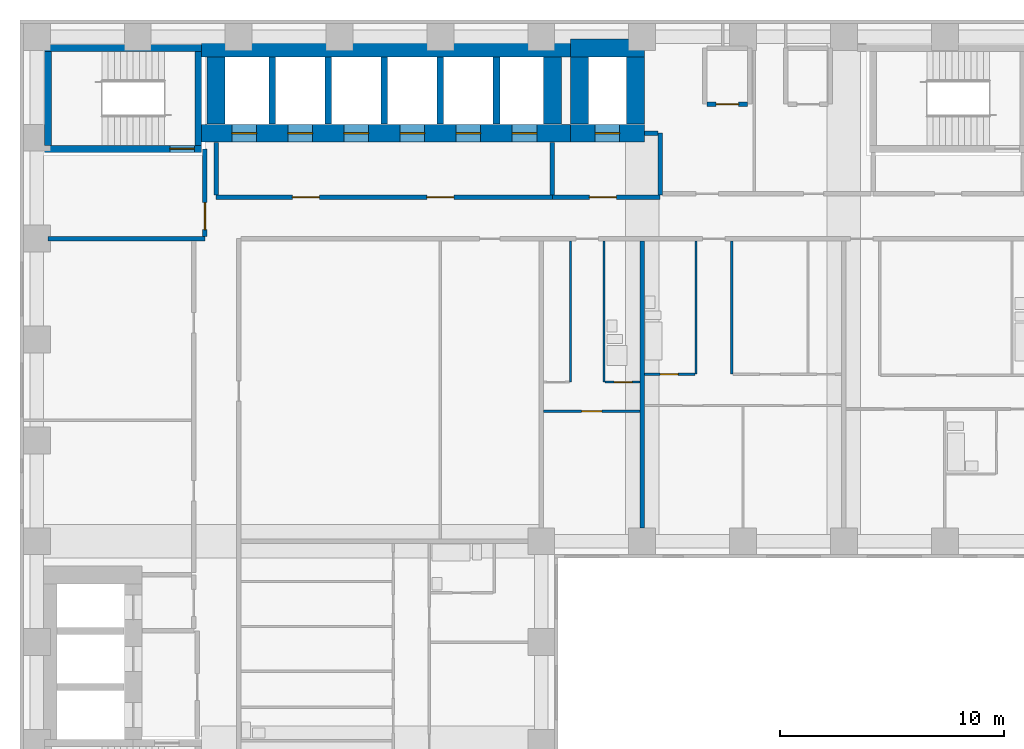
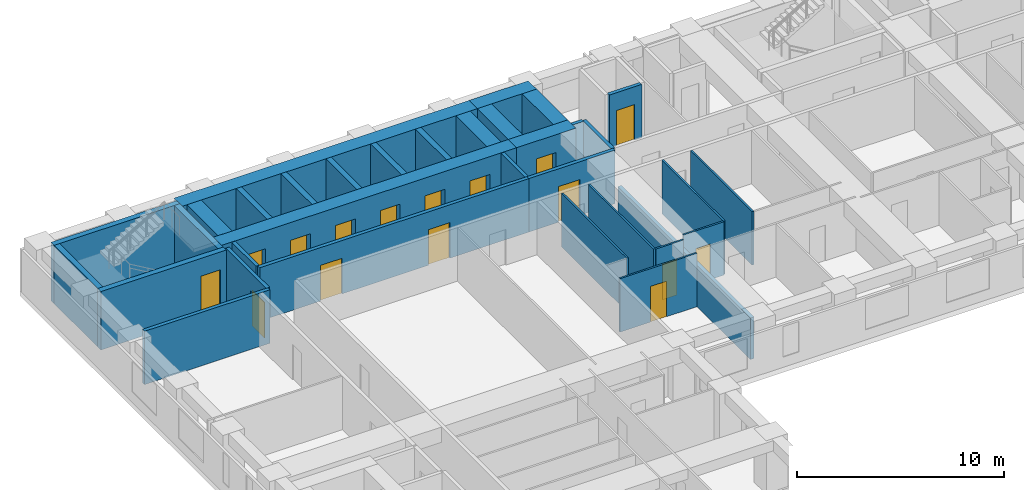
# One storey, part 5 of 13: 34 walls, 16 doors, 16 openings.
"""IFC4 building model written with IfcOpenShell, lengths in metres."""

from ifc_helpers import new_model, si_unit, direction, frame, frame_2d, origin, place, context, subcontext, project, spatial, rectangle, extrude, material, layer, layer_set, type_object, element, fill, save


model = new_model("IFC4")

# Units and contexts
model_context = context("Model", 3, precision=1e-05, world=origin(), true_north=direction((0.0, 1.0)))
body_context = subcontext(model_context, "Body", "Model", "MODEL_VIEW")
ifc_project = project(units=[si_unit("LENGTHUNIT", "METRE"), si_unit("AREAUNIT", "SQUARE_METRE"), si_unit("VOLUMEUNIT", "CUBIC_METRE"), si_unit("PLANEANGLEUNIT", "RADIAN"), si_unit("MASSUNIT", "GRAM", prefix="KILO")], contexts=[model_context])

# Site, building, storey
site_placement = place(None, origin())
site = spatial("IfcSite", under=ifc_project, at=site_placement, CompositionType="ELEMENT")
building_placement = place(site_placement, origin())
building = spatial("IfcBuilding", under=site, at=building_placement, Name="Firuza Court", CompositionType="ELEMENT")
storey_placement = place(building_placement, frame((0.0, 0.0, 104.60009765625)))
storey = spatial("IfcBuildingStorey", under=building, at=storey_placement, Name="L26", CompositionType="ELEMENT", Elevation=104.60009765625)

# Walls
ifc_material_1 = material(Name="Moisture-resistant gypsum board partition")
ifc_layer_1 = layer(ifc_material_1, 0.10009765625)
ifc_layer_set_1 = layer_set([ifc_layer_1], Name="Moisture-resistant gypsum board partition")
wall_type_1 = type_object("IfcWallType", Name="Bathroom partition 100", PredefinedType="PLUMBINGWALL", material=ifc_layer_set_1)
wall_1_placement = place(storey_placement, frame((25.300048828125, 43.10009765625, 0.0), z_axis=(0.0, 0.0, 1.0), x_axis=(0.0, 1.0, 0.0)))
element("IfcWall", 1, at=wall_1_placement, inside=storey, type_object=wall_type_1, Name="Bathroom partition 100 L26", PredefinedType="PLUMBINGWALL", context=body_context, shape_type="SweptSolid", body=[
    extrude(rectangle(XDim=6.2998046875, YDim=0.10009765625, at=frame_2d((3.14990234375, 0.0))), origin(), (0.0, 0.0, 1.0), 3.14990234375),
])
wall_2_placement = place(storey_placement, frame((29.39990234375, 43.449951171875, 0.0), z_axis=(0.0, 0.0, 1.0), x_axis=(0.0, 1.0, 0.0)))
element("IfcWall", 2, at=wall_2_placement, inside=storey, type_object=wall_type_1, Name="Bathroom partition 100 L26", PredefinedType="PLUMBINGWALL", context=body_context, shape_type="SweptSolid", body=[
    extrude(rectangle(XDim=5.949951171875, YDim=0.10009765625, at=frame_2d((2.97509765625, 0.0))), origin(), (0.0, 0.0, 1.0), 3.14990234375),
])

# Wall, opening, door
ifc_material_2 = material(Name="Concrete C60/75", Category="concrete")
ifc_layer_2 = layer(ifc_material_2, 0.300048828125)
ifc_layer_set_2 = layer_set([ifc_layer_2], Name="Concrete C60/75")
wall_type_2 = type_object("IfcWallType", Name="Core wall 300 C60/75", PredefinedType="SHEAR", material=ifc_layer_set_2)
wall_3_placement = place(storey_placement, frame((0.35009765625, 53.5, -0.300048828125), z_axis=(0.0, 0.0, 1.0), x_axis=(1.0, 0.0, 0.0)))
wall_3 = element("IfcWall", 3, at=wall_3_placement, inside=storey, type_object=wall_type_2, Name="Core wall stair L26", PredefinedType="SHEAR", context=body_context, shape_type="SweptSolid", body=[
    extrude(rectangle(XDim=7.0, YDim=0.300048828125, at=frame_2d((3.5, 0.0))), origin(), (0.0, 0.0, 1.0), 3.449951171875),
])
opening_1_placement = place(wall_3_placement, frame((5.580078125, 0.0, 0.300048828125)))
opening_1 = element("IfcOpeningElement", 4, at=opening_1_placement, cuts=wall_3, Name="Opening D26016", PredefinedType="OPENING", context=body_context, shape_type="SweptSolid", body=[
    extrude(rectangle(XDim=1.10009765625, YDim=2.10009765625, at=frame_2d((0.550048828125, 1.050048828125))), frame((0.0, 0.162109375, 0.0), z_axis=(0.0, -1.0, 0.0), x_axis=(1.0, 0.0, 0.0)), (0.0, 0.0, 1.0), 0.323974609375),
])
ifc_material_3 = material(Name="Timber door leaf in hardwood frame", Category="wood")
door_type_1 = type_object("IfcDoorType", Name="Stair door 1100", OperationType="SINGLE_SWING_LEFT", PredefinedType="DOOR", material=ifc_material_3)
door_1_placement = place(opening_1_placement, origin())
door_1 = element("IfcDoor", 5, at=door_1_placement, inside=storey, type_object=door_type_1, Name="Stair door S3", OperationType="SINGLE_SWING_RIGHT", OverallHeight=2.10009765625, OverallWidth=1.10009765625, PredefinedType="DOOR", context=body_context, shape_type="SweptSolid", body=[
    extrude(rectangle(XDim=1.10009765625, YDim=2.10009765625, at=frame_2d((0.550048828125, 1.050048828125))), frame((0.0, 0.02490234375, 0.0), z_axis=(0.0, -1.0, 0.0), x_axis=(1.0, 0.0, 0.0)), (0.0, 0.0, 1.0), 0.050048828125),
])
fill(opening_1, door_1)

# Walls
wall_4_placement = place(storey_placement, frame((0.35009765625, 58.0, -0.300048828125), z_axis=(0.0, 0.0, 1.0), x_axis=(1.0, 0.0, 0.0)))
element("IfcWall", 6, at=wall_4_placement, inside=storey, type_object=wall_type_2, Name="Core wall stair L26", PredefinedType="SHEAR", context=body_context, shape_type="SweptSolid", body=[
    extrude(rectangle(XDim=7.0, YDim=0.300048828125, at=frame_2d((3.5, 0.0))), origin(), (0.0, 0.0, 1.0), 3.449951171875),
])
for number, where, z_axis, x_axis, name in (
    (7, (0.5, 53.64990234375, -0.300048828125), (0.0, 0.0, 1.0), (0.0, 1.0, 0.0), "Core wall stair L26"),
    (8, (7.199951171875, 53.64990234375, -0.300048828125), (0.0, 0.0, 1.0), (0.0, 1.0, 0.0), "Core wall stair L26"),
):
    element("IfcWall", number, at=place(storey_placement, frame(where, z_axis=z_axis, x_axis=x_axis)), inside=storey, type_object=wall_type_2, Name=name, PredefinedType="SHEAR", context=body_context, shape_type="SweptSolid", body=[
        extrude(rectangle(XDim=4.2001953125, YDim=0.300048828125, at=frame_2d((2.10009765625, 0.0))), origin(), (0.0, 0.0, 1.0), 3.449951171875),
    ])
for number, where, z_axis, x_axis, name in (
    (9, (10.5, 54.60009765625, -0.300048828125), (0.0, 0.0, 1.0), (0.0, 1.0, 0.0), "Core wall lift shaft L26"),
    (10, (13.0, 54.60009765625, -0.300048828125), (0.0, 0.0, 1.0), (0.0, 1.0, 0.0), "Core wall lift shaft L26"),
    (11, (15.5, 54.60009765625, -0.300048828125), (0.0, 0.0, 1.0), (0.0, 1.0, 0.0), "Core wall lift shaft L26"),
    (12, (18.0, 54.60009765625, -0.300048828125), (0.0, 0.0, 1.0), (0.0, 1.0, 0.0), "Core wall lift shaft L26"),
    (13, (20.5, 54.60009765625, -0.300048828125), (0.0, 0.0, 1.0), (0.0, 1.0, 0.0), "Core wall lift shaft L26"),
):
    element("IfcWall", number, at=place(storey_placement, frame(where, z_axis=z_axis, x_axis=x_axis)), inside=storey, type_object=wall_type_2, Name=name, PredefinedType="SHEAR", context=body_context, shape_type="SweptSolid", body=[
        extrude(rectangle(XDim=3.0, YDim=0.300048828125, at=frame_2d((1.5, 0.0))), origin(), (0.0, 0.0, 1.0), 3.449951171875),
    ])

# Wall, openings, doors
ifc_layer_3 = layer(ifc_material_2, 0.800048828125)
ifc_layer_set_3 = layer_set([ifc_layer_3], Name="Concrete C60/75")
wall_type_3 = type_object("IfcWallType", Name="Core wall 800 C60/75", PredefinedType="SHEAR", material=ifc_layer_set_3)
wall_5_placement = place(storey_placement, frame((7.35009765625, 54.199951171875, -0.300048828125), z_axis=(0.0, 0.0, 1.0), x_axis=(1.0, 0.0, 0.0)))
wall_5 = element("IfcWall", 14, at=wall_5_placement, inside=storey, type_object=wall_type_3, Name="Core wall lift shaft L26", PredefinedType="SHEAR", context=body_context, shape_type="SweptSolid", body=[
    extrude(rectangle(XDim=16.449951171875, YDim=0.800048828125, at=frame_2d((8.22509765625, 0.0))), origin(), (0.0, 0.0, 1.0), 3.449951171875),
])
opening_2_placement = place(wall_5_placement, frame((1.35009765625, 0.0, 0.300048828125)))
opening_2 = element("IfcOpeningElement", 15, at=opening_2_placement, cuts=wall_5, Name="Opening LD-LB1-26", PredefinedType="OPENING", context=body_context, shape_type="SweptSolid", body=[
    extrude(rectangle(XDim=1.10009765625, YDim=2.10009765625, at=frame_2d((0.550048828125, 1.050048828125))), frame((0.0, 0.412109375, 0.0), z_axis=(0.0, -1.0, 0.0), x_axis=(1.0, 0.0, 0.0)), (0.0, 0.0, 1.0), 0.823974609375),
])
opening_3_placement = place(wall_5_placement, frame((3.85009765625, 0.0, 0.300048828125)))
opening_3 = element("IfcOpeningElement", 16, at=opening_3_placement, cuts=wall_5, Name="Opening LD-LB2-26", PredefinedType="OPENING", context=body_context, shape_type="SweptSolid", body=[
    extrude(rectangle(XDim=1.10009765625, YDim=2.10009765625, at=frame_2d((0.550048828125, 1.050048828125))), frame((0.0, 0.412109375, 0.0), z_axis=(0.0, -1.0, 0.0), x_axis=(1.0, 0.0, 0.0)), (0.0, 0.0, 1.0), 0.823974609375),
])
opening_4_placement = place(wall_5_placement, frame((6.35009765625, 0.0, 0.300048828125)))
opening_4 = element("IfcOpeningElement", 17, at=opening_4_placement, cuts=wall_5, Name="Opening LD-LB3-26", PredefinedType="OPENING", context=body_context, shape_type="SweptSolid", body=[
    extrude(rectangle(XDim=1.10009765625, YDim=2.10009765625, at=frame_2d((0.550048828125, 1.050048828125))), frame((0.0, 0.412109375, 0.0), z_axis=(0.0, -1.0, 0.0), x_axis=(1.0, 0.0, 0.0)), (0.0, 0.0, 1.0), 0.823974609375),
])
opening_5_placement = place(wall_5_placement, frame((8.85009765625, 0.0, 0.300048828125)))
opening_5 = element("IfcOpeningElement", 18, at=opening_5_placement, cuts=wall_5, Name="Opening LD-LB4-26", PredefinedType="OPENING", context=body_context, shape_type="SweptSolid", body=[
    extrude(rectangle(XDim=1.10009765625, YDim=2.10009765625, at=frame_2d((0.550048828125, 1.050048828125))), frame((0.0, 0.412109375, 0.0), z_axis=(0.0, -1.0, 0.0), x_axis=(1.0, 0.0, 0.0)), (0.0, 0.0, 1.0), 0.823974609375),
])
opening_6_placement = place(wall_5_placement, frame((11.35009765625, 0.0, 0.300048828125)))
opening_6 = element("IfcOpeningElement", 19, at=opening_6_placement, cuts=wall_5, Name="Opening LD-LB5-26", PredefinedType="OPENING", context=body_context, shape_type="SweptSolid", body=[
    extrude(rectangle(XDim=1.10009765625, YDim=2.10009765625, at=frame_2d((0.550048828125, 1.050048828125))), frame((0.0, 0.412109375, 0.0), z_axis=(0.0, -1.0, 0.0), x_axis=(1.0, 0.0, 0.0)), (0.0, 0.0, 1.0), 0.823974609375),
])
opening_7_placement = place(wall_5_placement, frame((13.85009765625, 0.0, 0.300048828125)))
opening_7 = element("IfcOpeningElement", 20, at=opening_7_placement, cuts=wall_5, Name="Opening LD-LB6-26", PredefinedType="OPENING", context=body_context, shape_type="SweptSolid", body=[
    extrude(rectangle(XDim=1.10009765625, YDim=2.10009765625, at=frame_2d((0.550048828125, 1.050048828125))), frame((0.0, 0.412109375, 0.0), z_axis=(0.0, -1.0, 0.0), x_axis=(1.0, 0.0, 0.0)), (0.0, 0.0, 1.0), 0.823974609375),
])
ifc_material_4 = material(Name="Stainless steel 1.4301 door leaf", Category="steel")
door_type_2 = type_object("IfcDoorType", Name="Lift landing door 1100", OperationType="SLIDING_TO_LEFT", PredefinedType="DOOR", material=ifc_material_4)
door_2_placement = place(opening_2_placement, origin())
door_2 = element("IfcDoor", 21, at=door_2_placement, inside=storey, type_object=door_type_2, Name="Landing door LB1", OperationType="SLIDING_TO_LEFT", OverallHeight=2.10009765625, OverallWidth=1.10009765625, PredefinedType="DOOR", context=body_context, shape_type="SweptSolid", body=[
    extrude(rectangle(XDim=1.10009765625, YDim=2.10009765625, at=frame_2d((0.550048828125, 1.050048828125))), frame((0.0, 0.02490234375, 0.0), z_axis=(0.0, -1.0, 0.0), x_axis=(1.0, 0.0, 0.0)), (0.0, 0.0, 1.0), 0.050048828125),
])
fill(opening_2, door_2)
door_3_placement = place(opening_3_placement, origin())
door_3 = element("IfcDoor", 22, at=door_3_placement, inside=storey, type_object=door_type_2, Name="Landing door LB2", OperationType="SLIDING_TO_LEFT", OverallHeight=2.10009765625, OverallWidth=1.10009765625, PredefinedType="DOOR", context=body_context, shape_type="SweptSolid", body=[
    extrude(rectangle(XDim=1.10009765625, YDim=2.10009765625, at=frame_2d((0.550048828125, 1.050048828125))), frame((0.0, 0.02490234375, 0.0), z_axis=(0.0, -1.0, 0.0), x_axis=(1.0, 0.0, 0.0)), (0.0, 0.0, 1.0), 0.050048828125),
])
fill(opening_3, door_3)
door_4_placement = place(opening_4_placement, origin())
door_4 = element("IfcDoor", 23, at=door_4_placement, inside=storey, type_object=door_type_2, Name="Landing door LB3", OperationType="SLIDING_TO_LEFT", OverallHeight=2.10009765625, OverallWidth=1.10009765625, PredefinedType="DOOR", context=body_context, shape_type="SweptSolid", body=[
    extrude(rectangle(XDim=1.10009765625, YDim=2.10009765625, at=frame_2d((0.550048828125, 1.050048828125))), frame((0.0, 0.02490234375, 0.0), z_axis=(0.0, -1.0, 0.0), x_axis=(1.0, 0.0, 0.0)), (0.0, 0.0, 1.0), 0.050048828125),
])
fill(opening_4, door_4)
door_5_placement = place(opening_5_placement, origin())
door_5 = element("IfcDoor", 24, at=door_5_placement, inside=storey, type_object=door_type_2, Name="Landing door LB4", OperationType="SLIDING_TO_LEFT", OverallHeight=2.10009765625, OverallWidth=1.10009765625, PredefinedType="DOOR", context=body_context, shape_type="SweptSolid", body=[
    extrude(rectangle(XDim=1.10009765625, YDim=2.10009765625, at=frame_2d((0.550048828125, 1.050048828125))), frame((0.0, 0.02490234375, 0.0), z_axis=(0.0, -1.0, 0.0), x_axis=(1.0, 0.0, 0.0)), (0.0, 0.0, 1.0), 0.050048828125),
])
fill(opening_5, door_5)
door_6_placement = place(opening_6_placement, origin())
door_6 = element("IfcDoor", 25, at=door_6_placement, inside=storey, type_object=door_type_2, Name="Landing door LB5", OperationType="SLIDING_TO_LEFT", OverallHeight=2.10009765625, OverallWidth=1.10009765625, PredefinedType="DOOR", context=body_context, shape_type="SweptSolid", body=[
    extrude(rectangle(XDim=1.10009765625, YDim=2.10009765625, at=frame_2d((0.550048828125, 1.050048828125))), frame((0.0, 0.02490234375, 0.0), z_axis=(0.0, -1.0, 0.0), x_axis=(1.0, 0.0, 0.0)), (0.0, 0.0, 1.0), 0.050048828125),
])
fill(opening_6, door_6)
door_7_placement = place(opening_7_placement, origin())
door_7 = element("IfcDoor", 26, at=door_7_placement, inside=storey, type_object=door_type_2, Name="Landing door LB6", OperationType="SLIDING_TO_LEFT", OverallHeight=2.10009765625, OverallWidth=1.10009765625, PredefinedType="DOOR", context=body_context, shape_type="SweptSolid", body=[
    extrude(rectangle(XDim=1.10009765625, YDim=2.10009765625, at=frame_2d((0.550048828125, 1.050048828125))), frame((0.0, 0.02490234375, 0.0), z_axis=(0.0, -1.0, 0.0), x_axis=(1.0, 0.0, 0.0)), (0.0, 0.0, 1.0), 0.050048828125),
])
fill(opening_7, door_7)

# Walls
wall_6_placement = place(storey_placement, frame((7.35009765625, 58.0, -0.300048828125), z_axis=(0.0, 0.0, 1.0), x_axis=(1.0, 0.0, 0.0)))
element("IfcWall", 27, at=wall_6_placement, inside=storey, type_object=wall_type_3, Name="Core wall lift shaft L26", PredefinedType="SHEAR", context=body_context, shape_type="SweptSolid", body=[
    extrude(rectangle(XDim=16.449951171875, YDim=0.800048828125, at=frame_2d((8.22509765625, 0.0))), origin(), (0.0, 0.0, 1.0), 3.449951171875),
])
for number, where, z_axis, x_axis, name in (
    (28, (8.0, 54.60009765625, -0.300048828125), (0.0, 0.0, 1.0), (0.0, 1.0, 0.0), "Core wall lift shaft L26"),
    (29, (23.0, 54.60009765625, -0.300048828125), (0.0, 0.0, 1.0), (0.0, 1.0, 0.0), "Core wall lift shaft L26"),
):
    element("IfcWall", number, at=place(storey_placement, frame(where, z_axis=z_axis, x_axis=x_axis)), inside=storey, type_object=wall_type_3, Name=name, PredefinedType="SHEAR", context=body_context, shape_type="SweptSolid", body=[
        extrude(rectangle(XDim=3.0, YDim=0.800048828125, at=frame_2d((1.5, 0.0))), origin(), (0.0, 0.0, 1.0), 3.449951171875),
    ])

# Wall, opening, door
wall_7_placement = place(storey_placement, frame((23.800048828125, 54.199951171875, -0.300048828125), z_axis=(0.0, 0.0, 1.0), x_axis=(1.0, 0.0, 0.0)))
wall_7 = element("IfcWall", 30, at=wall_7_placement, inside=storey, type_object=wall_type_3, Name="Core wall lift shaft L26", PredefinedType="SHEAR", context=body_context, shape_type="SweptSolid", body=[
    extrude(rectangle(XDim=3.300048828125, YDim=0.800048828125, at=frame_2d((1.64990234375, 0.0))), origin(), (0.0, 0.0, 1.0), 3.449951171875),
])
opening_8_placement = place(wall_7_placement, frame((1.10009765625, 0.0, 0.300048828125)))
opening_8 = element("IfcOpeningElement", 31, at=opening_8_placement, cuts=wall_7, Name="Opening LD-FL3-26", PredefinedType="OPENING", context=body_context, shape_type="SweptSolid", body=[
    extrude(rectangle(XDim=1.10009765625, YDim=2.10009765625, at=frame_2d((0.550048828125, 1.050048828125))), frame((0.0, 0.412109375, 0.0), z_axis=(0.0, -1.0, 0.0), x_axis=(1.0, 0.0, 0.0)), (0.0, 0.0, 1.0), 0.823974609375),
])
door_8_placement = place(opening_8_placement, origin())
door_8 = element("IfcDoor", 32, at=door_8_placement, inside=storey, type_object=door_type_2, Name="Landing door FL3", OperationType="SLIDING_TO_LEFT", OverallHeight=2.10009765625, OverallWidth=1.10009765625, PredefinedType="DOOR", context=body_context, shape_type="SweptSolid", body=[
    extrude(rectangle(XDim=1.10009765625, YDim=2.10009765625, at=frame_2d((0.550048828125, 1.050048828125))), frame((0.0, 0.02490234375, 0.0), z_axis=(0.0, -1.0, 0.0), x_axis=(1.0, 0.0, 0.0)), (0.0, 0.0, 1.0), 0.050048828125),
])
fill(opening_8, door_8)

# Walls
wall_8_placement = place(storey_placement, frame((23.800048828125, 58.0, -0.300048828125), z_axis=(0.0, 0.0, 1.0), x_axis=(1.0, 0.0, 0.0)))
element("IfcWall", 33, at=wall_8_placement, inside=storey, type_object=wall_type_3, Name="Core wall lift shaft L26", PredefinedType="SHEAR", context=body_context, shape_type="SweptSolid", body=[
    extrude(rectangle(XDim=3.300048828125, YDim=0.800048828125, at=frame_2d((1.64990234375, 0.0))), origin(), (0.0, 0.0, 1.0), 3.449951171875),
])
for number, where, z_axis, x_axis, name in (
    (34, (24.199951171875, 54.60009765625, -0.300048828125), (0.0, 0.0, 1.0), (0.0, 1.0, 0.0), "Core wall lift shaft L26"),
    (35, (26.699951171875, 54.60009765625, -0.300048828125), (0.0, 0.0, 1.0), (0.0, 1.0, 0.0), "Core wall lift shaft L26"),
):
    element("IfcWall", number, at=place(storey_placement, frame(where, z_axis=z_axis, x_axis=x_axis)), inside=storey, type_object=wall_type_3, Name=name, PredefinedType="SHEAR", context=body_context, shape_type="SweptSolid", body=[
        extrude(rectangle(XDim=3.0, YDim=0.800048828125, at=frame_2d((1.5, 0.0))), origin(), (0.0, 0.0, 1.0), 3.449951171875),
    ])

# Wall, opening, door
ifc_material_5 = material(Name="Timber stud partition, plasterboard both sides", Category="wood")
ifc_layer_4 = layer(ifc_material_5, 0.10009765625)
ifc_layer_set_4 = layer_set([ifc_layer_4], Name="Timber stud partition, plasterboard both sides")
wall_type_4 = type_object("IfcWallType", Name="Partition wall 100", PredefinedType="PARTITIONING", material=ifc_layer_set_4)
wall_9_placement = place(storey_placement, frame((22.60009765625, 41.800048828125, 0.0), z_axis=(0.0, 0.0, 1.0), x_axis=(1.0, 0.0, 0.0)))
wall_9 = element("IfcWall", 36, at=wall_9_placement, inside=storey, type_object=wall_type_4, Name="Partition wall 100 L26", PredefinedType="PARTITIONING", context=body_context, shape_type="SweptSolid", body=[
    extrude(rectangle(XDim=4.2998046875, YDim=0.10009765625, at=frame_2d((2.14990234375, 0.0))), origin(), (0.0, 0.0, 1.0), 3.14990234375),
])
opening_9_placement = place(wall_9_placement, frame((1.699951171875, 0.0, 0.0)))
opening_9 = element("IfcOpeningElement", 37, at=opening_9_placement, cuts=wall_9, Name="Opening D26047", PredefinedType="OPENING", context=body_context, shape_type="SweptSolid", body=[
    extrude(rectangle(XDim=0.89990234375, YDim=2.10009765625, at=frame_2d((0.449951171875, 1.050048828125))), frame((0.0, 0.06201171875, 0.0), z_axis=(0.0, -1.0, 0.0), x_axis=(1.0, 0.0, 0.0)), (0.0, 0.0, 1.0), 0.1240234375),
])
ifc_material_6 = material(Name="Timber door leaf in hardwood frame", Category="wood")
door_type_3 = type_object("IfcDoorType", Name="Room door 900", OperationType="SINGLE_SWING_LEFT", PredefinedType="DOOR", material=ifc_material_6)
door_9_placement = place(opening_9_placement, frame((0.89990234375, 0.0, 0.0), z_axis=(0.0, 0.0, 1.0), x_axis=(-1.0, 0.0, 0.0)))
door_9 = element("IfcDoor", 38, at=door_9_placement, inside=storey, type_object=door_type_3, Name="Studio room door", OperationType="SINGLE_SWING_RIGHT", OverallHeight=2.10009765625, OverallWidth=0.89990234375, PredefinedType="DOOR", context=body_context, shape_type="SweptSolid", body=[
    extrude(rectangle(XDim=0.89990234375, YDim=2.10009765625, at=frame_2d((0.449951171875, 1.050048828125))), frame((0.0, 0.02490234375, 0.0), z_axis=(0.0, -1.0, 0.0), x_axis=(1.0, 0.0, 0.0)), (0.0, 0.0, 1.0), 0.050048828125),
])
fill(opening_9, door_9)

# Wall
wall_10_placement = place(storey_placement, frame((23.800048828125, 43.10009765625, 0.0), z_axis=(0.0, 0.0, 1.0), x_axis=(0.0, 1.0, 0.0)))
element("IfcWall", 39, at=wall_10_placement, inside=storey, type_object=wall_type_4, Name="Partition wall 100 L26", PredefinedType="PARTITIONING", context=body_context, shape_type="SweptSolid", body=[
    extrude(rectangle(XDim=6.2998046875, YDim=0.10009765625, at=frame_2d((3.14990234375, 0.0))), origin(), (0.0, 0.0, 1.0), 3.14990234375),
])

# Wall, opening, door
wall_11_placement = place(storey_placement, frame((25.35009765625, 43.10009765625, 0.0), z_axis=(0.0, 0.0, 1.0), x_axis=(1.0, 0.0, 0.0)))
wall_11 = element("IfcWall", 40, at=wall_11_placement, inside=storey, type_object=wall_type_4, Name="Partition wall 100 L26", PredefinedType="PARTITIONING", context=body_context, shape_type="SweptSolid", body=[
    extrude(rectangle(XDim=1.5498046875, YDim=0.10009765625, at=frame_2d((0.77490234375, 0.0))), origin(), (0.0, 0.0, 1.0), 3.14990234375),
])
opening_10_placement = place(wall_11_placement, frame((0.39990234375, 0.0, 0.0)))
opening_10 = element("IfcOpeningElement", 41, at=opening_10_placement, cuts=wall_11, Name="Opening D26054", PredefinedType="OPENING", context=body_context, shape_type="SweptSolid", body=[
    extrude(rectangle(XDim=0.800048828125, YDim=2.10009765625, at=frame_2d((0.39990234375, 1.050048828125))), frame((0.0, 0.06201171875, 0.0), z_axis=(0.0, -1.0, 0.0), x_axis=(1.0, 0.0, 0.0)), (0.0, 0.0, 1.0), 0.1240234375),
])
ifc_material_7 = material(Name="Timber door leaf in hardwood frame", Category="wood")
door_type_4 = type_object("IfcDoorType", Name="Bathroom door 800", OperationType="SINGLE_SWING_LEFT", PredefinedType="DOOR", material=ifc_material_7)
door_10_placement = place(opening_10_placement, origin())
door_10 = element("IfcDoor", 42, at=door_10_placement, inside=storey, type_object=door_type_4, Name="Bathroom door", OperationType="SINGLE_SWING_LEFT", OverallHeight=2.10009765625, OverallWidth=0.800048828125, PredefinedType="DOOR", context=body_context, shape_type="SweptSolid", body=[
    extrude(rectangle(XDim=0.800048828125, YDim=2.10009765625, at=frame_2d((0.39990234375, 1.050048828125))), frame((0.0, 0.02490234375, 0.0), z_axis=(0.0, -1.0, 0.0), x_axis=(1.0, 0.0, 0.0)), (0.0, 0.0, 1.0), 0.050048828125),
])
fill(opening_10, door_10)

wall_12_placement = place(storey_placement, frame((27.10009765625, 43.449951171875, 0.0), z_axis=(0.0, 0.0, 1.0), x_axis=(1.0, 0.0, 0.0)))
wall_12 = element("IfcWall", 43, at=wall_12_placement, inside=storey, type_object=wall_type_4, Name="Partition wall 100 L26", PredefinedType="PARTITIONING", context=body_context, shape_type="SweptSolid", body=[
    extrude(rectangle(XDim=2.25, YDim=0.10009765625, at=frame_2d((1.125, 0.0))), origin(), (0.0, 0.0, 1.0), 3.14990234375),
])
opening_11_placement = place(wall_12_placement, frame((0.699951171875, 0.0, 0.0)))
opening_11 = element("IfcOpeningElement", 44, at=opening_11_placement, cuts=wall_12, Name="Opening D26059", PredefinedType="OPENING", context=body_context, shape_type="SweptSolid", body=[
    extrude(rectangle(XDim=0.800048828125, YDim=2.10009765625, at=frame_2d((0.39990234375, 1.050048828125))), frame((0.0, 0.06201171875, 0.0), z_axis=(0.0, -1.0, 0.0), x_axis=(1.0, 0.0, 0.0)), (0.0, 0.0, 1.0), 0.1240234375),
])
door_11_placement = place(opening_11_placement, origin())
door_11 = element("IfcDoor", 45, at=door_11_placement, inside=storey, type_object=door_type_4, Name="Bathroom door", OperationType="SINGLE_SWING_LEFT", OverallHeight=2.10009765625, OverallWidth=0.800048828125, PredefinedType="DOOR", context=body_context, shape_type="SweptSolid", body=[
    extrude(rectangle(XDim=0.800048828125, YDim=2.10009765625, at=frame_2d((0.39990234375, 1.050048828125))), frame((0.0, 0.02490234375, 0.0), z_axis=(0.0, -1.0, 0.0), x_axis=(1.0, 0.0, 0.0)), (0.0, 0.0, 1.0), 0.050048828125),
])
fill(opening_11, door_11)

# Walls
wall_13_placement = place(storey_placement, frame((31.0, 43.449951171875, 0.0), z_axis=(0.0, 0.0, 1.0), x_axis=(0.0, 1.0, 0.0)))
element("IfcWall", 46, at=wall_13_placement, inside=storey, type_object=wall_type_4, Name="Partition wall 100 L26", PredefinedType="PARTITIONING", context=body_context, shape_type="SweptSolid", body=[
    extrude(rectangle(XDim=5.949951171875, YDim=0.10009765625, at=frame_2d((2.97509765625, 0.0))), origin(), (0.0, 0.0, 1.0), 3.14990234375),
])
ifc_material_8 = material(Name="Blockwork, plastered both sides", Category="masonry")
ifc_layer_5 = layer(ifc_material_8, 0.199951171875)
ifc_layer_set_5 = layer_set([ifc_layer_5], Name="Blockwork, plastered both sides")
wall_type_5 = type_object("IfcWallType", Name="Party wall 200", PredefinedType="PARTITIONING", material=ifc_layer_set_5)
wall_14_placement = place(storey_placement, frame((27.0, 36.60009765625, 0.0), z_axis=(0.0, 0.0, 1.0), x_axis=(0.0, 1.0, 0.0)))
element("IfcWall", 47, at=wall_14_placement, inside=storey, type_object=wall_type_5, Name="Party wall 200 L26", PredefinedType="PARTITIONING", context=body_context, shape_type="SweptSolid", body=[
    extrude(rectangle(XDim=12.7998046875, YDim=0.199951171875, at=frame_2d((6.39990234375, 0.0))), origin(), (0.0, 0.0, 1.0), 2.449951171875),
])

# Wall, opening, door
ifc_material_9 = material(Name="Blockwork, fire-rated", Category="masonry")
ifc_layer_6 = layer(ifc_material_9, 0.199951171875)
ifc_layer_set_6 = layer_set([ifc_layer_6], Name="Blockwork, fire-rated")
wall_type_6 = type_object("IfcWallType", Name="Plant room wall 200", PredefinedType="PARTITIONING", material=ifc_layer_set_6)
wall_15_placement = place(storey_placement, frame((29.89990234375, 55.5, 0.0), z_axis=(0.0, 0.0, 1.0), x_axis=(1.0, 0.0, 0.0)))
wall_15 = element("IfcWall", 48, at=wall_15_placement, inside=storey, type_object=wall_type_6, Name="Plant room wall 200 L26", PredefinedType="PARTITIONING", context=body_context, shape_type="SweptSolid", body=[
    extrude(rectangle(XDim=1.800048828125, YDim=0.199951171875, at=frame_2d((0.89990234375, 0.0))), origin(), (0.0, 0.0, 1.0), 3.14990234375),
])
opening_12_placement = place(wall_15_placement, frame((0.39990234375, 0.0, 0.0)))
opening_12 = element("IfcOpeningElement", 49, at=opening_12_placement, cuts=wall_15, Name="Opening D26079", PredefinedType="OPENING", context=body_context, shape_type="SweptSolid", body=[
    extrude(rectangle(XDim=1.0, YDim=2.10009765625, at=frame_2d((0.5, 1.050048828125))), frame((0.0, 0.11181640625, 0.0), z_axis=(0.0, -1.0, 0.0), x_axis=(1.0, 0.0, 0.0)), (0.0, 0.0, 1.0), 0.223876953125),
])
ifc_material_10 = material(Name="Timber door leaf in hardwood frame", Category="wood")
door_type_5 = type_object("IfcDoorType", Name="Riser door 1000", OperationType="SINGLE_SWING_LEFT", PredefinedType="DOOR", material=ifc_material_10)
door_12_placement = place(opening_12_placement, origin())
door_12 = element("IfcDoor", 50, at=door_12_placement, inside=storey, type_object=door_type_5, Name="Electrical riser door", OperationType="SINGLE_SWING_LEFT", OverallHeight=2.10009765625, OverallWidth=1.0, PredefinedType="DOOR", context=body_context, shape_type="SweptSolid", body=[
    extrude(rectangle(XDim=1.0, YDim=2.10009765625, at=frame_2d((0.5, 1.050048828125))), frame((0.0, 0.02490234375, 0.0), z_axis=(0.0, -1.0, 0.0), x_axis=(1.0, 0.0, 0.0)), (0.0, 0.0, 1.0), 0.050048828125),
])
fill(opening_12, door_12)

# Wall, openings, doors
ifc_layer_7 = layer(ifc_material_9, 0.199951171875)
ifc_layer_set_7 = layer_set([ifc_layer_7], Name="Blockwork, fire-rated")
wall_type_7 = type_object("IfcWallType", Name="Shaft wall 200", PredefinedType="PARTITIONING", material=ifc_layer_set_7)
wall_16_placement = place(storey_placement, frame((8.0, 51.35009765625, 0.0), z_axis=(0.0, 0.0, 1.0), x_axis=(1.0, 0.0, 0.0)))
wall_16 = element("IfcWall", 51, at=wall_16_placement, inside=storey, type_object=wall_type_7, Name="Shaft wall 200 L26", PredefinedType="PARTITIONING", context=body_context, shape_type="SweptSolid", body=[
    extrude(rectangle(XDim=15.0, YDim=0.199951171875, at=frame_2d((7.5, 0.0))), origin(), (0.0, 0.0, 1.0), 3.14990234375),
])
opening_13_placement = place(wall_16_placement, frame((3.39990234375, 0.0, 0.0)))
opening_13 = element("IfcOpeningElement", 52, at=opening_13_placement, cuts=wall_16, Name="Opening D26004", PredefinedType="OPENING", context=body_context, shape_type="SweptSolid", body=[
    extrude(rectangle(XDim=1.199951171875, YDim=2.10009765625, at=frame_2d((0.60009765625, 1.050048828125))), frame((0.0, 0.11181640625, 0.0), z_axis=(0.0, -1.0, 0.0), x_axis=(1.0, 0.0, 0.0)), (0.0, 0.0, 1.0), 0.223876953125),
])
opening_14_placement = place(wall_16_placement, frame((9.39990234375, 0.0, 0.0)))
opening_14 = element("IfcOpeningElement", 53, at=opening_14_placement, cuts=wall_16, Name="Opening D26005", PredefinedType="OPENING", context=body_context, shape_type="SweptSolid", body=[
    extrude(rectangle(XDim=1.199951171875, YDim=2.10009765625, at=frame_2d((0.60009765625, 1.050048828125))), frame((0.0, 0.11181640625, 0.0), z_axis=(0.0, -1.0, 0.0), x_axis=(1.0, 0.0, 0.0)), (0.0, 0.0, 1.0), 0.223876953125),
])
ifc_material_11 = material(Name="Timber door leaf in hardwood frame", Category="wood")
door_type_6 = type_object("IfcDoorType", Name="Lobby door 1200", OperationType="SINGLE_SWING_LEFT", PredefinedType="DOOR", material=ifc_material_11)
door_13_placement = place(opening_13_placement, origin())
door_13 = element("IfcDoor", 54, at=door_13_placement, inside=storey, type_object=door_type_6, Name="Lobby door", OperationType="SINGLE_SWING_LEFT", OverallHeight=2.10009765625, OverallWidth=1.199951171875, PredefinedType="DOOR", context=body_context, shape_type="SweptSolid", body=[
    extrude(rectangle(XDim=1.199951171875, YDim=2.10009765625, at=frame_2d((0.60009765625, 1.050048828125))), frame((0.0, 0.02490234375, 0.0), z_axis=(0.0, -1.0, 0.0), x_axis=(1.0, 0.0, 0.0)), (0.0, 0.0, 1.0), 0.050048828125),
])
fill(opening_13, door_13)
door_14_placement = place(opening_14_placement, origin())
door_14 = element("IfcDoor", 55, at=door_14_placement, inside=storey, type_object=door_type_6, Name="Lobby door", OperationType="SINGLE_SWING_RIGHT", OverallHeight=2.10009765625, OverallWidth=1.199951171875, PredefinedType="DOOR", context=body_context, shape_type="SweptSolid", body=[
    extrude(rectangle(XDim=1.199951171875, YDim=2.10009765625, at=frame_2d((0.60009765625, 1.050048828125))), frame((0.0, 0.02490234375, 0.0), z_axis=(0.0, -1.0, 0.0), x_axis=(1.0, 0.0, 0.0)), (0.0, 0.0, 1.0), 0.050048828125),
])
fill(opening_14, door_14)

# Walls
for number, where, z_axis, x_axis, name in (
    (56, (23.0, 51.449951171875, 0.0), (0.0, 0.0, 1.0), (0.0, 1.0, 0.0), "Shaft wall 200 L26"),
    (57, (8.0, 51.449951171875, 0.0), (0.0, 0.0, 1.0), (0.0, 1.0, 0.0), "Shaft wall 200 L26"),
):
    element("IfcWall", number, at=place(storey_placement, frame(where, z_axis=z_axis, x_axis=x_axis)), inside=storey, type_object=wall_type_7, Name=name, PredefinedType="PARTITIONING", context=body_context, shape_type="SweptSolid", body=[
        extrude(rectangle(XDim=2.330078125, YDim=0.199951171875, at=frame_2d((1.1650390625, 0.0))), origin(), (0.0, 0.0, 1.0), 3.14990234375),
    ])

# Wall, opening, door
wall_17_placement = place(storey_placement, frame((23.0, 51.35009765625, 0.0), z_axis=(0.0, 0.0, 1.0), x_axis=(1.0, 0.0, 0.0)))
wall_17 = element("IfcWall", 58, at=wall_17_placement, inside=storey, type_object=wall_type_7, Name="Shaft wall 200 L26", PredefinedType="PARTITIONING", context=body_context, shape_type="SweptSolid", body=[
    extrude(rectangle(XDim=4.800048828125, YDim=0.199951171875, at=frame_2d((2.39990234375, 0.0))), origin(), (0.0, 0.0, 1.0), 3.14990234375),
])
opening_15_placement = place(wall_17_placement, frame((1.64990234375, 0.0, 0.0)))
opening_15 = element("IfcOpeningElement", 59, at=opening_15_placement, cuts=wall_17, Name="Opening D26003", PredefinedType="OPENING", context=body_context, shape_type="SweptSolid", body=[
    extrude(rectangle(XDim=1.199951171875, YDim=2.10009765625, at=frame_2d((0.60009765625, 1.050048828125))), frame((0.0, 0.11181640625, 0.0), z_axis=(0.0, -1.0, 0.0), x_axis=(1.0, 0.0, 0.0)), (0.0, 0.0, 1.0), 0.223876953125),
])
door_15_placement = place(opening_15_placement, origin())
door_15 = element("IfcDoor", 60, at=door_15_placement, inside=storey, type_object=door_type_6, Name="Fire-fighting lobby door", OperationType="SINGLE_SWING_LEFT", OverallHeight=2.10009765625, OverallWidth=1.199951171875, PredefinedType="DOOR", context=body_context, shape_type="SweptSolid", body=[
    extrude(rectangle(XDim=1.199951171875, YDim=2.10009765625, at=frame_2d((0.60009765625, 1.050048828125))), frame((0.0, 0.02490234375, 0.0), z_axis=(0.0, -1.0, 0.0), x_axis=(1.0, 0.0, 0.0)), (0.0, 0.0, 1.0), 0.050048828125),
])
fill(opening_15, door_15)

# Walls
wall_18_placement = place(storey_placement, frame((27.800048828125, 51.449951171875, 0.0), z_axis=(0.0, 0.0, 1.0), x_axis=(0.0, 1.0, 0.0)))
element("IfcWall", 61, at=wall_18_placement, inside=storey, type_object=wall_type_7, Name="Shaft wall 200 L26", PredefinedType="PARTITIONING", context=body_context, shape_type="SweptSolid", body=[
    extrude(rectangle(XDim=2.75, YDim=0.199951171875, at=frame_2d((1.375, 0.0))), origin(), (0.0, 0.0, 1.0), 3.14990234375),
])
wall_19_placement = place(storey_placement, frame((27.10009765625, 54.199951171875, 0.0), z_axis=(0.0, 0.0, 1.0), x_axis=(1.0, 0.0, 0.0)))
element("IfcWall", 62, at=wall_19_placement, inside=storey, type_object=wall_type_7, Name="Shaft wall 200 L26", PredefinedType="PARTITIONING", context=body_context, shape_type="SweptSolid", body=[
    extrude(rectangle(XDim=0.599853515625, YDim=0.199951171875, at=frame_2d((0.2998046875, 0.0))), origin(), (0.0, 0.0, 1.0), 3.14990234375),
])
wall_20_placement = place(storey_placement, frame((0.5, 49.5, 0.0), z_axis=(0.0, 0.0, 1.0), x_axis=(1.0, 0.0, 0.0)))
element("IfcWall", 63, at=wall_20_placement, inside=storey, type_object=wall_type_7, Name="Shaft wall 200 L26", PredefinedType="PARTITIONING", context=body_context, shape_type="SweptSolid", body=[
    extrude(rectangle(XDim=7.0, YDim=0.199951171875, at=frame_2d((3.5, 0.0))), origin(), (0.0, 0.0, 1.0), 3.14990234375),
])

# Wall, opening, door
wall_21_placement = place(storey_placement, frame((7.5, 49.60009765625, 0.0), z_axis=(0.0, 0.0, 1.0), x_axis=(0.0, 1.0, 0.0)))
wall_21 = element("IfcWall", 64, at=wall_21_placement, inside=storey, type_object=wall_type_7, Name="Shaft wall 200 L26", PredefinedType="PARTITIONING", context=body_context, shape_type="SweptSolid", body=[
    extrude(rectangle(XDim=3.89990234375, YDim=0.199951171875, at=frame_2d((1.949951171875, 0.0))), origin(), (0.0, 0.0, 1.0), 3.14990234375),
])
opening_16_placement = place(wall_21_placement, frame((0.300048828125, 0.0, 0.0)))
opening_16 = element("IfcOpeningElement", 65, at=opening_16_placement, cuts=wall_21, Name="Opening D26001", PredefinedType="OPENING", context=body_context, shape_type="SweptSolid", body=[
    extrude(rectangle(XDim=1.199951171875, YDim=2.10009765625, at=frame_2d((0.60009765625, 1.050048828125))), frame((0.0, 0.11181640625, 0.0), z_axis=(0.0, -1.0, 0.0), x_axis=(1.0, 0.0, 0.0)), (0.0, 0.0, 1.0), 0.223876953125),
])
door_16_placement = place(opening_16_placement, origin())
door_16 = element("IfcDoor", 66, at=door_16_placement, inside=storey, type_object=door_type_6, Name="Lobby door", OperationType="SINGLE_SWING_LEFT", OverallHeight=2.10009765625, OverallWidth=1.199951171875, PredefinedType="DOOR", context=body_context, shape_type="SweptSolid", body=[
    extrude(rectangle(XDim=1.199951171875, YDim=2.10009765625, at=frame_2d((0.60009765625, 1.050048828125))), frame((0.0, 0.02490234375, 0.0), z_axis=(0.0, -1.0, 0.0), x_axis=(1.0, 0.0, 0.0)), (0.0, 0.0, 1.0), 0.050048828125),
])
fill(opening_16, door_16)

save(model, "model.ifc")
